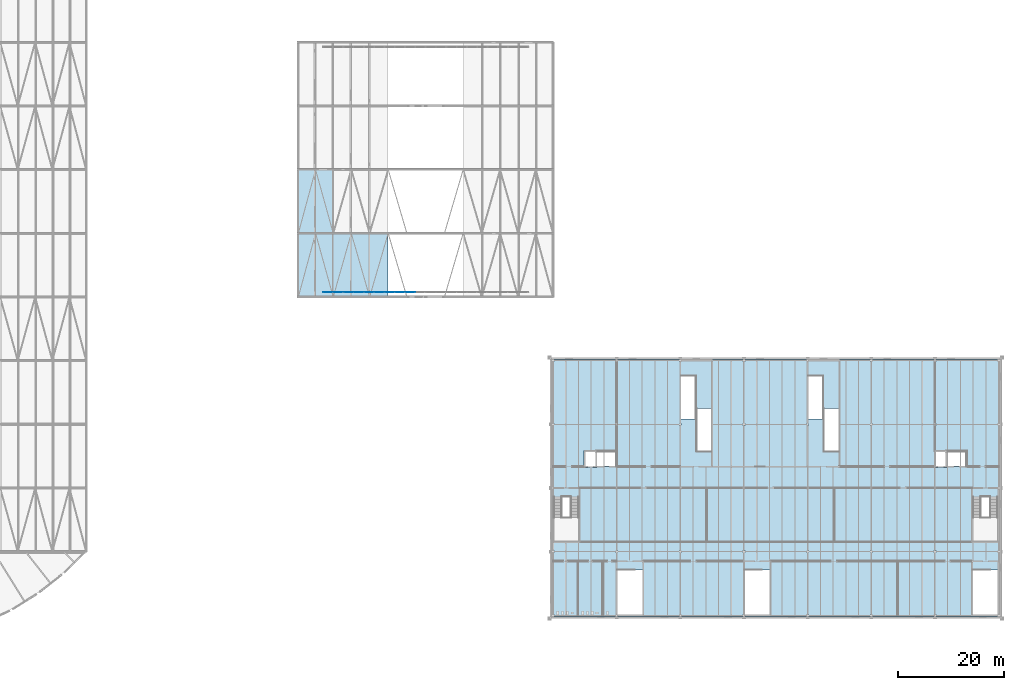
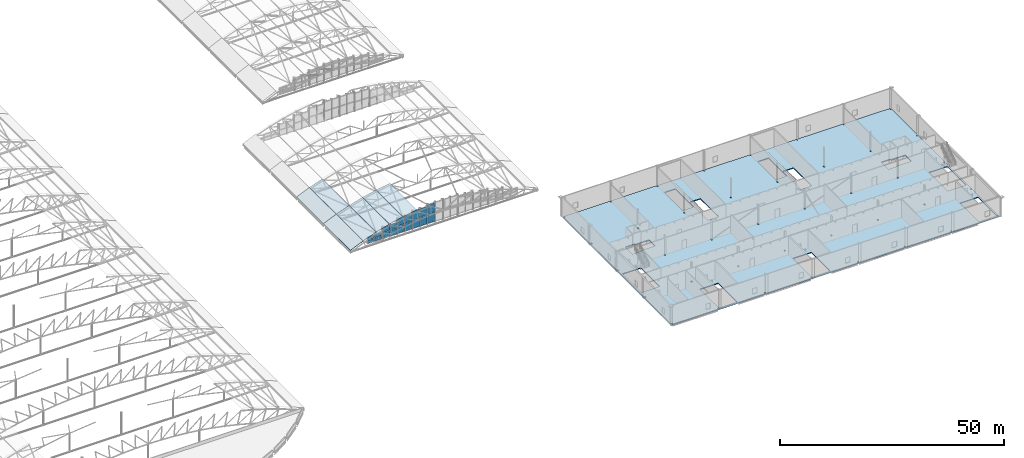
# One storey, part 248 of 321: 18 plates, 8 slabs, 5 elements without a shape of their own.
"""IFC4 building model written with IfcOpenShell, lengths in metres."""

from ifc_helpers import new_model, si_unit, direction, frame, origin, origin_2d, place, context, subcontext, project, spatial, polyline, rectangle, outline, extrude, material, layer, layer_set, type_object, element, aggregate, save


model = new_model("IFC4")

# Units and contexts
model_context = context("Model", 3, precision=1e-05, world=origin(), true_north=direction((0.0, 1.0)))
body_context = subcontext(model_context, "Body", "Model", "MODEL_VIEW")
ifc_project = project(units=[si_unit("LENGTHUNIT", "METRE"), si_unit("AREAUNIT", "SQUARE_METRE"), si_unit("VOLUMEUNIT", "CUBIC_METRE"), si_unit("PLANEANGLEUNIT", "RADIAN"), si_unit("MASSUNIT", "GRAM", prefix="KILO")], contexts=[model_context])

# Site, building, storey
site_placement = place(None, origin())
site = spatial("IfcSite", under=ifc_project, at=site_placement, CompositionType="ELEMENT")
building_placement = place(site_placement, origin())
building = spatial("IfcBuilding", under=site, at=building_placement, Name="Ravi Spectrum Wholesale Market", CompositionType="ELEMENT")
storey_placement = place(building_placement, frame((0.0, 0.0, 10.800048828125)))
storey = spatial("IfcBuildingStorey", under=building, at=storey_placement, Name="L02", CompositionType="ELEMENT", Elevation=10.800048828125)

# Slab
ifc_material_1 = material(Name="Concrete C35/45", Category="concrete")
ifc_layer_1 = layer(ifc_material_1, 0.25)
ifc_layer_set_1 = layer_set([ifc_layer_1], Name="Concrete C35/45")
slab_type_1 = type_object("IfcSlabType", Name="Composite deck slab 250", PredefinedType="FLOOR", material=ifc_layer_set_1)
slab_1_placement = place(storey_placement, frame((0.0, 0.0, -0.25)))
element("IfcSlab", 1, at=slab_1_placement, inside=storey, type_object=slab_type_1, Name="CS-SL-L02-001", PredefinedType="FLOOR", context=body_context, shape_type="SweptSolid", body=[
    extrude(outline(polyline([(197.75, 17.75), (197.75, 66.25), (282.25, 66.25), (282.25, 17.75), (197.75, 17.75)]), holes=[polyline([(197.85009765625, 17.830078125), (198.14990234375, 17.830078125), (198.14990234375, 18.169921875), (197.85009765625, 18.169921875), (197.85009765625, 17.830078125)]), polyline([(210.14990234375, 26.544921875), (210.14990234375, 18.169921875), (209.85009765625, 18.169921875), (209.85009765625, 17.830078125), (210.14990234375, 17.830078125), (210.14990234375, 18.14990234375), (214.85009765625, 18.14990234375), (214.85009765625, 26.544921875), (210.14990234375, 26.544921875)]), polyline([(221.85009765625, 29.800048828125), (222.14990234375, 29.800048828125), (222.14990234375, 30.199951171875), (221.85009765625, 30.199951171875), (221.85009765625, 29.800048828125)]), polyline([(197.85009765625, 30.169921875), (197.85009765625, 29.830078125), (198.14990234375, 29.830078125), (198.14990234375, 30.169921875), (197.85009765625, 30.169921875)]), polyline([(209.85009765625, 30.199951171875), (209.85009765625, 29.800048828125), (210.14990234375, 29.800048828125), (210.14990234375, 30.199951171875), (209.85009765625, 30.199951171875)]), polyline([(198.14990234375, 40.340087890625), (198.14990234375, 31.949951171875), (202.85009765625, 31.949951171875), (202.85009765625, 40.340087890625), (198.14990234375, 40.340087890625)]), polyline([(209.85009765625, 42.199951171875), (209.85009765625, 41.800048828125), (210.14990234375, 41.800048828125), (210.14990234375, 42.199951171875), (209.85009765625, 42.199951171875)]), polyline([(221.85009765625, 42.199951171875), (221.85009765625, 41.800048828125), (222.14990234375, 41.800048828125), (222.14990234375, 42.199951171875), (221.85009765625, 42.199951171875)]), polyline([(197.85009765625, 42.169921875), (197.85009765625, 41.830078125), (198.14990234375, 41.830078125), (198.14990234375, 42.169921875), (197.85009765625, 42.169921875)]), polyline([(209.89990234375, 46.10009765625), (209.89990234375, 48.85009765625), (206.27490234375, 48.85009765625), (206.27490234375, 49.074951171875), (203.875, 49.074951171875), (203.875, 45.875), (206.27490234375, 45.875), (206.27490234375, 46.10009765625), (209.89990234375, 46.10009765625)]), polyline([(209.85009765625, 54.199951171875), (209.85009765625, 53.800048828125), (210.14990234375, 53.800048828125), (210.14990234375, 54.199951171875), (209.85009765625, 54.199951171875)]), polyline([(197.85009765625, 53.830078125), (198.14990234375, 53.830078125), (198.14990234375, 54.169921875), (197.85009765625, 54.169921875), (197.85009765625, 53.830078125)]), polyline([(221.85009765625, 54.199951171875), (221.85009765625, 53.800048828125), (222.14990234375, 53.800048828125), (222.14990234375, 54.199951171875), (221.85009765625, 54.199951171875)]), polyline([(197.85009765625, 66.169921875), (197.85009765625, 65.830078125), (198.14990234375, 65.830078125), (198.14990234375, 66.169921875), (197.85009765625, 66.169921875)]), polyline([(209.85009765625, 65.830078125), (210.14990234375, 65.830078125), (210.14990234375, 66.169921875), (209.85009765625, 66.169921875), (209.85009765625, 65.830078125)]), polyline([(221.85009765625, 66.169921875), (221.85009765625, 65.830078125), (222.14990234375, 65.830078125), (222.14990234375, 66.169921875), (221.85009765625, 66.169921875)]), polyline([(245.85009765625, 18.169921875), (245.85009765625, 17.830078125), (246.14990234375, 17.830078125), (246.14990234375, 18.169921875), (245.85009765625, 18.169921875)]), polyline([(257.85009765625, 17.830078125), (258.14990234375, 17.830078125), (258.14990234375, 18.169921875), (257.85009765625, 18.169921875), (257.85009765625, 17.830078125)]), polyline([(221.85009765625, 18.169921875), (221.85009765625, 17.830078125), (222.14990234375, 17.830078125), (222.14990234375, 18.169921875), (221.85009765625, 18.169921875)]), polyline([(233.85009765625, 18.169921875), (233.85009765625, 17.830078125), (234.14990234375, 17.830078125), (234.14990234375, 18.14990234375), (238.85009765625, 18.14990234375), (238.85009765625, 26.544921875), (234.14990234375, 26.544921875), (234.14990234375, 18.169921875), (233.85009765625, 18.169921875)]), polyline([(233.85009765625, 30.199951171875), (233.85009765625, 29.800048828125), (234.14990234375, 29.800048828125), (234.14990234375, 30.199951171875), (233.85009765625, 30.199951171875)]), polyline([(245.85009765625, 30.199951171875), (245.85009765625, 29.800048828125), (246.14990234375, 29.800048828125), (246.14990234375, 30.199951171875), (245.85009765625, 30.199951171875)]), polyline([(257.85009765625, 30.199951171875), (257.85009765625, 29.800048828125), (258.14990234375, 29.800048828125), (258.14990234375, 30.199951171875), (257.85009765625, 30.199951171875)]), polyline([(233.85009765625, 41.800048828125), (234.14990234375, 41.800048828125), (234.14990234375, 42.199951171875), (233.85009765625, 42.199951171875), (233.85009765625, 41.800048828125)]), polyline([(245.85009765625, 42.199951171875), (245.85009765625, 41.800048828125), (246.14990234375, 41.800048828125), (246.14990234375, 42.199951171875), (245.85009765625, 42.199951171875)]), polyline([(225.10009765625, 48.89990234375), (227.85009765625, 48.89990234375), (227.85009765625, 57.014892578125), (225.10009765625, 57.014892578125), (225.10009765625, 48.89990234375)]), polyline([(251.85009765625, 48.89990234375), (251.85009765625, 57.014892578125), (249.10009765625, 57.014892578125), (249.10009765625, 48.89990234375), (251.85009765625, 48.89990234375)]), polyline([(233.85009765625, 54.199951171875), (233.85009765625, 53.800048828125), (234.14990234375, 53.800048828125), (234.14990234375, 54.199951171875), (233.85009765625, 54.199951171875)]), polyline([(245.85009765625, 54.199951171875), (245.85009765625, 53.800048828125), (246.14990234375, 53.800048828125), (246.14990234375, 54.199951171875), (245.85009765625, 54.199951171875)]), polyline([(248.89990234375, 54.985107421875), (248.89990234375, 63.10009765625), (246.14990234375, 63.10009765625), (246.14990234375, 54.985107421875), (248.89990234375, 54.985107421875)]), polyline([(222.14990234375, 54.985107421875), (224.89990234375, 54.985107421875), (224.89990234375, 63.10009765625), (222.14990234375, 63.10009765625), (222.14990234375, 54.985107421875)]), polyline([(233.85009765625, 66.169921875), (233.85009765625, 65.830078125), (234.14990234375, 65.830078125), (234.14990234375, 66.169921875), (233.85009765625, 66.169921875)]), polyline([(245.85009765625, 66.169921875), (245.85009765625, 65.830078125), (246.14990234375, 65.830078125), (246.14990234375, 66.169921875), (245.85009765625, 66.169921875)]), polyline([(281.85009765625, 18.14990234375), (281.85009765625, 17.830078125), (282.14990234375, 17.830078125), (282.14990234375, 18.169921875), (281.85009765625, 18.169921875), (281.85009765625, 26.544921875), (277.14990234375, 26.544921875), (277.14990234375, 18.14990234375), (281.85009765625, 18.14990234375)]), polyline([(269.85009765625, 18.169921875), (269.85009765625, 17.830078125), (270.14990234375, 17.830078125), (270.14990234375, 18.169921875), (269.85009765625, 18.169921875)]), polyline([(281.85009765625, 29.830078125), (282.14990234375, 29.830078125), (282.14990234375, 30.169921875), (281.85009765625, 30.169921875), (281.85009765625, 29.830078125)]), polyline([(269.85009765625, 30.199951171875), (269.85009765625, 29.800048828125), (270.14990234375, 29.800048828125), (270.14990234375, 30.199951171875), (269.85009765625, 30.199951171875)]), polyline([(281.85009765625, 40.340087890625), (277.14990234375, 40.340087890625), (277.14990234375, 31.949951171875), (281.85009765625, 31.949951171875), (281.85009765625, 40.340087890625)]), polyline([(281.85009765625, 42.169921875), (281.85009765625, 41.830078125), (282.14990234375, 41.830078125), (282.14990234375, 42.169921875), (281.85009765625, 42.169921875)]), polyline([(269.85009765625, 42.199951171875), (269.85009765625, 41.800048828125), (270.14990234375, 41.800048828125), (270.14990234375, 42.199951171875), (269.85009765625, 42.199951171875)]), polyline([(257.85009765625, 42.199951171875), (257.85009765625, 41.800048828125), (258.14990234375, 41.800048828125), (258.14990234375, 42.199951171875), (257.85009765625, 42.199951171875)]), polyline([(269.875, 49.074951171875), (269.875, 45.875), (272.27490234375, 45.875), (272.27490234375, 46.10009765625), (275.89990234375, 46.10009765625), (275.89990234375, 48.85009765625), (272.27490234375, 48.85009765625), (272.27490234375, 49.074951171875), (269.875, 49.074951171875)]), polyline([(269.85009765625, 54.199951171875), (269.85009765625, 53.800048828125), (270.14990234375, 53.800048828125), (270.14990234375, 54.199951171875), (269.85009765625, 54.199951171875)]), polyline([(281.85009765625, 54.169921875), (281.85009765625, 53.830078125), (282.14990234375, 53.830078125), (282.14990234375, 54.169921875), (281.85009765625, 54.169921875)]), polyline([(257.85009765625, 54.199951171875), (257.85009765625, 53.800048828125), (258.14990234375, 53.800048828125), (258.14990234375, 54.199951171875), (257.85009765625, 54.199951171875)]), polyline([(281.85009765625, 66.169921875), (281.85009765625, 65.830078125), (282.14990234375, 65.830078125), (282.14990234375, 66.169921875), (281.85009765625, 66.169921875)]), polyline([(269.85009765625, 66.169921875), (269.85009765625, 65.830078125), (270.14990234375, 65.830078125), (270.14990234375, 66.169921875), (269.85009765625, 66.169921875)]), polyline([(257.85009765625, 66.169921875), (257.85009765625, 65.830078125), (258.14990234375, 65.830078125), (258.14990234375, 66.169921875), (257.85009765625, 66.169921875)])]), origin(), (0.0, 0.0, 1.0), 0.25),
])

# Curtain wall, plates
ifc_material_2 = material(Name="Aluminium 6063-T6", Category="aluminium")
ifc_layer_2 = layer(ifc_material_2, 0.14990234375)
ifc_layer_set_2 = layer_set([ifc_layer_2], Name="Aluminium 6063-T6")
curtain_wall_type = type_object("IfcCurtainWallType", Name="Curtain wall 150", PredefinedType="NOTDEFINED", material=ifc_layer_set_2)
curtain_wall_1_placement = place(storey_placement, origin())
curtain_wall_1 = element("IfcCurtainWall", 2, at=curtain_wall_1_placement, inside=storey, type_object=curtain_wall_type, Name="H2-CW-L02-001", PredefinedType="NOTDEFINED")
ifc_material_3 = material(Name="Toughened glass", Category="glass")
ifc_layer_3 = layer(ifc_material_3, 0.028076171875)
ifc_layer_set_3 = layer_set([ifc_layer_3], Name="Toughened glass")
plate_type_1 = type_object("IfcPlateType", Name="Glazing panel 28", PredefinedType="CURTAIN_PANEL", material=ifc_layer_set_3)
plate_1_placement = place(storey_placement, frame((155.575927734375, 78.89990234375, 0.97998046875), z_axis=(0.0, 0.0, 1.0), x_axis=(1.0, 0.0, 0.0)))
plate_1 = element("IfcPlate", 3, at=plate_1_placement, type_object=plate_type_1, Name="H2-CW-L02-001 panel 1.2", PredefinedType="CURTAIN_PANEL", context=body_context, shape_type="SweptSolid", body=[
    extrude(rectangle(XDim=1.81298828125, YDim=0.028076171875, at=origin_2d()), origin(), (0.0, 0.0, 1.0), 0.860107421875),
])
plate_2_placement = place(storey_placement, frame((157.448974609375, 78.89990234375, 0.97998046875), z_axis=(0.0, 0.0, 1.0), x_axis=(1.0, 0.0, 0.0)))
plate_2 = element("IfcPlate", 4, at=plate_2_placement, type_object=plate_type_1, Name="H2-CW-L02-001 panel 2.2", PredefinedType="CURTAIN_PANEL", context=body_context, shape_type="SweptSolid", body=[
    extrude(rectangle(XDim=1.81298828125, YDim=0.028076171875, at=origin_2d()), origin(), (0.0, 0.0, 1.0), 0.860107421875),
])

curtain_wall_2_placement = place(storey_placement, origin())
curtain_wall_2 = element("IfcCurtainWall", 5, at=curtain_wall_2_placement, inside=storey, type_object=curtain_wall_type, Name="H2-CW-L02-002", PredefinedType="NOTDEFINED")
plate_3_placement = place(storey_placement, frame((159.4619140625, 78.89990234375, 0.06005859375), z_axis=(0.0, 0.0, 1.0), x_axis=(1.0, 0.0, 0.0)))
plate_3 = element("IfcPlate", 6, at=plate_3_placement, type_object=plate_type_1, Name="H2-CW-L02-002 panel 1.1", PredefinedType="CURTAIN_PANEL", context=body_context, shape_type="SweptSolid", body=[
    extrude(rectangle(XDim=1.81298828125, YDim=0.028076171875, at=origin_2d()), origin(), (0.0, 0.0, 1.0), 1.510009765625),
])
plate_4_placement = place(storey_placement, frame((161.3349609375, 78.89990234375, 0.06005859375), z_axis=(0.0, 0.0, 1.0), x_axis=(1.0, 0.0, 0.0)))
plate_4 = element("IfcPlate", 7, at=plate_4_placement, type_object=plate_type_1, Name="H2-CW-L02-002 panel 2.1", PredefinedType="CURTAIN_PANEL", context=body_context, shape_type="SweptSolid", body=[
    extrude(rectangle(XDim=1.81298828125, YDim=0.028076171875, at=origin_2d()), origin(), (0.0, 0.0, 1.0), 1.510009765625),
])

curtain_wall_3_placement = place(storey_placement, origin())
curtain_wall_3 = element("IfcCurtainWall", 8, at=curtain_wall_3_placement, inside=storey, type_object=curtain_wall_type, Name="H2-CW-L02-003", PredefinedType="NOTDEFINED")
plate_5_placement = place(storey_placement, frame((163.34814453125, 78.89990234375, 0.06005859375), z_axis=(0.0, 0.0, 1.0), x_axis=(1.0, 0.0, 0.0)))
plate_5 = element("IfcPlate", 9, at=plate_5_placement, type_object=plate_type_1, Name="H2-CW-L02-003 panel 1.1", PredefinedType="CURTAIN_PANEL", context=body_context, shape_type="SweptSolid", body=[
    extrude(rectangle(XDim=1.81298828125, YDim=0.028076171875, at=origin_2d()), origin(), (0.0, 0.0, 1.0), 2.010009765625),
])
plate_6_placement = place(storey_placement, frame((165.22119140625, 78.89990234375, 0.06005859375), z_axis=(0.0, 0.0, 1.0), x_axis=(1.0, 0.0, 0.0)))
plate_6 = element("IfcPlate", 10, at=plate_6_placement, type_object=plate_type_1, Name="H2-CW-L02-003 panel 2.1", PredefinedType="CURTAIN_PANEL", context=body_context, shape_type="SweptSolid", body=[
    extrude(rectangle(XDim=1.81298828125, YDim=0.028076171875, at=origin_2d()), origin(), (0.0, 0.0, 1.0), 2.010009765625),
])

curtain_wall_4_placement = place(storey_placement, origin())
curtain_wall_4 = element("IfcCurtainWall", 11, at=curtain_wall_4_placement, inside=storey, type_object=curtain_wall_type, Name="H2-CW-L02-004", PredefinedType="NOTDEFINED")
plate_7_placement = place(storey_placement, frame((167.234375, 78.89990234375, 0.06005859375), z_axis=(0.0, 0.0, 1.0), x_axis=(1.0, 0.0, 0.0)))
plate_7 = element("IfcPlate", 12, at=plate_7_placement, type_object=plate_type_1, Name="H2-CW-L02-004 panel 1.1", PredefinedType="CURTAIN_PANEL", context=body_context, shape_type="SweptSolid", body=[
    extrude(rectangle(XDim=1.81298828125, YDim=0.028076171875, at=origin_2d()), origin(), (0.0, 0.0, 1.0), 2.360107421875),
])
plate_8_placement = place(storey_placement, frame((169.107421875, 78.89990234375, 0.06005859375), z_axis=(0.0, 0.0, 1.0), x_axis=(1.0, 0.0, 0.0)))
plate_8 = element("IfcPlate", 13, at=plate_8_placement, type_object=plate_type_1, Name="H2-CW-L02-004 panel 2.1", PredefinedType="CURTAIN_PANEL", context=body_context, shape_type="SweptSolid", body=[
    extrude(rectangle(XDim=1.81298828125, YDim=0.028076171875, at=origin_2d()), origin(), (0.0, 0.0, 1.0), 2.360107421875),
])

# Curtain wall, plate
curtain_wall_5_placement = place(storey_placement, origin())
curtain_wall_5 = element("IfcCurtainWall", 14, at=curtain_wall_5_placement, inside=storey, type_object=curtain_wall_type, Name="H2-CW-L02-005", PredefinedType="NOTDEFINED")
plate_9_placement = place(storey_placement, frame((171.120361328125, 78.89990234375, 0.059814453125), z_axis=(0.0, 0.0, 1.0), x_axis=(1.0, 0.0, 0.0)))
plate_9 = element("IfcPlate", 15, at=plate_9_placement, type_object=plate_type_1, Name="H2-CW-L02-005 panel 1.1", PredefinedType="CURTAIN_PANEL", context=body_context, shape_type="SweptSolid", body=[
    extrude(rectangle(XDim=1.81298828125, YDim=0.028076171875, at=origin_2d()), origin(), (0.0, 0.0, 1.0), 2.56005859375),
])

# Plate
ifc_material_4 = material(Name="Insulated panel")
ifc_layer_4 = layer(ifc_material_4, 0.028076171875)
ifc_layer_set_4 = layer_set([ifc_layer_4], Name="Insulated panel")
plate_type_2 = type_object("IfcPlateType", Name="Opaque insulated panel 28", PredefinedType="CURTAIN_PANEL", material=ifc_layer_set_4)
plate_10_placement = place(storey_placement, frame((155.575927734375, 78.89990234375, 0.06005859375), z_axis=(0.0, 0.0, 1.0), x_axis=(1.0, 0.0, 0.0)))
plate_10 = element("IfcPlate", 16, at=plate_10_placement, type_object=plate_type_2, Name="H2-CW-L02-001 panel 1.1", PredefinedType="CURTAIN_PANEL", context=body_context, shape_type="SweptSolid", body=[
    extrude(rectangle(XDim=1.81298828125, YDim=0.028076171875, at=origin_2d()), origin(), (0.0, 0.0, 1.0), 0.860107421875),
])

plate_11_placement = place(storey_placement, frame((157.448974609375, 78.89990234375, 0.06005859375), z_axis=(0.0, 0.0, 1.0), x_axis=(1.0, 0.0, 0.0)))
plate_11 = element("IfcPlate", 17, at=plate_11_placement, type_object=plate_type_2, Name="H2-CW-L02-001 panel 2.1", PredefinedType="CURTAIN_PANEL", context=body_context, shape_type="SweptSolid", body=[
    extrude(rectangle(XDim=1.81298828125, YDim=0.028076171875, at=origin_2d()), origin(), (0.0, 0.0, 1.0), 0.860107421875),
])

aggregate(curtain_wall_1, [plate_10, plate_1, plate_11, plate_2])

plate_12_placement = place(storey_placement, frame((159.4619140625, 78.89990234375, 1.6298828125), z_axis=(0.0, 0.0, 1.0), x_axis=(1.0, 0.0, 0.0)))
plate_12 = element("IfcPlate", 18, at=plate_12_placement, type_object=plate_type_2, Name="H2-CW-L02-002 panel 1.2", PredefinedType="CURTAIN_PANEL", context=body_context, shape_type="SweptSolid", body=[
    extrude(rectangle(XDim=1.81298828125, YDim=0.028076171875, at=origin_2d()), origin(), (0.0, 0.0, 1.0), 1.510009765625),
])

plate_13_placement = place(storey_placement, frame((161.3349609375, 78.89990234375, 1.6298828125), z_axis=(0.0, 0.0, 1.0), x_axis=(1.0, 0.0, 0.0)))
plate_13 = element("IfcPlate", 19, at=plate_13_placement, type_object=plate_type_2, Name="H2-CW-L02-002 panel 2.2", PredefinedType="CURTAIN_PANEL", context=body_context, shape_type="SweptSolid", body=[
    extrude(rectangle(XDim=1.81298828125, YDim=0.028076171875, at=origin_2d()), origin(), (0.0, 0.0, 1.0), 1.510009765625),
])

aggregate(curtain_wall_2, [plate_3, plate_12, plate_4, plate_13])

plate_14_placement = place(storey_placement, frame((163.34814453125, 78.89990234375, 2.1298828125), z_axis=(0.0, 0.0, 1.0), x_axis=(1.0, 0.0, 0.0)))
plate_14 = element("IfcPlate", 20, at=plate_14_placement, type_object=plate_type_2, Name="H2-CW-L02-003 panel 1.2", PredefinedType="CURTAIN_PANEL", context=body_context, shape_type="SweptSolid", body=[
    extrude(rectangle(XDim=1.81298828125, YDim=0.028076171875, at=origin_2d()), origin(), (0.0, 0.0, 1.0), 2.010009765625),
])

plate_15_placement = place(storey_placement, frame((165.22119140625, 78.89990234375, 2.1298828125), z_axis=(0.0, 0.0, 1.0), x_axis=(1.0, 0.0, 0.0)))
plate_15 = element("IfcPlate", 21, at=plate_15_placement, type_object=plate_type_2, Name="H2-CW-L02-003 panel 2.2", PredefinedType="CURTAIN_PANEL", context=body_context, shape_type="SweptSolid", body=[
    extrude(rectangle(XDim=1.81298828125, YDim=0.028076171875, at=origin_2d()), origin(), (0.0, 0.0, 1.0), 2.010009765625),
])

aggregate(curtain_wall_3, [plate_5, plate_14, plate_6, plate_15])

plate_16_placement = place(storey_placement, frame((167.234375, 78.89990234375, 2.47998046875), z_axis=(0.0, 0.0, 1.0), x_axis=(1.0, 0.0, 0.0)))
plate_16 = element("IfcPlate", 22, at=plate_16_placement, type_object=plate_type_2, Name="H2-CW-L02-004 panel 1.2", PredefinedType="CURTAIN_PANEL", context=body_context, shape_type="SweptSolid", body=[
    extrude(rectangle(XDim=1.81298828125, YDim=0.028076171875, at=origin_2d()), origin(), (0.0, 0.0, 1.0), 2.360107421875),
])

plate_17_placement = place(storey_placement, frame((169.107421875, 78.89990234375, 2.47998046875), z_axis=(0.0, 0.0, 1.0), x_axis=(1.0, 0.0, 0.0)))
plate_17 = element("IfcPlate", 23, at=plate_17_placement, type_object=plate_type_2, Name="H2-CW-L02-004 panel 2.2", PredefinedType="CURTAIN_PANEL", context=body_context, shape_type="SweptSolid", body=[
    extrude(rectangle(XDim=1.81298828125, YDim=0.028076171875, at=origin_2d()), origin(), (0.0, 0.0, 1.0), 2.360107421875),
])

aggregate(curtain_wall_4, [plate_7, plate_16, plate_8, plate_17])

plate_18_placement = place(storey_placement, frame((171.120361328125, 78.89990234375, 2.679931640625), z_axis=(0.0, 0.0, 1.0), x_axis=(1.0, 0.0, 0.0)))
plate_18 = element("IfcPlate", 24, at=plate_18_placement, type_object=plate_type_2, Name="H2-CW-L02-005 panel 1.2", PredefinedType="CURTAIN_PANEL", context=body_context, shape_type="SweptSolid", body=[
    extrude(rectangle(XDim=1.81298828125, YDim=0.028076171875, at=origin_2d()), origin(), (0.0, 0.0, 1.0), 2.56005859375),
])

aggregate(curtain_wall_5, [plate_9, plate_18])

# Slabs
ifc_material_5 = material(Name="Steel S355", Category="steel")
ifc_layer_5 = layer(ifc_material_5, 0.1201171875)
ifc_layer_set_5 = layer_set([ifc_layer_5], Name="Steel S355")
slab_type_2 = type_object("IfcSlabType", Name="Roof panel 120", PredefinedType="ROOF", material=ifc_layer_set_5)
slab_2_placement = place(storey_placement, frame((149.76708984375, 78.0, 0.500244140625), z_axis=(-0.399541211393, 0.0, 0.916715234082), x_axis=(0.916715234082, 0.0, 0.399541211393)))
element("IfcSlab", 25, at=slab_2_placement, inside=storey, type_object=slab_type_2, Name="H2-SL-L02-001", PredefinedType="ROOF", context=body_context, shape_type="SweptSolid", body=[
    extrude(outline(polyline([(0.0, 0.0), (3.5697682506341324, 0.0), (3.5697682506341324, 12.0), (0.0, 12.0), (0.0, 0.0)])), origin(), (0.0, 0.0, -1.0), 0.1201171875),
])
slab_3_placement = place(storey_placement, frame((153.046630859375, 78.0, 1.929443359375), z_axis=(-0.340781945356, 0.0, 0.940142364602), x_axis=(0.940142364602, 0.0, 0.340781945356)))
element("IfcSlab", 26, at=slab_3_placement, inside=storey, type_object=slab_type_2, Name="H2-SL-L02-002", PredefinedType="ROOF", context=body_context, shape_type="SweptSolid", body=[
    extrude(outline(polyline([(0.0, 0.0), (3.5698861132549333, 0.0), (3.5698861132549333, 12.0), (0.0, 12.0), (0.0, 0.0)])), origin(), (0.0, 0.0, -1.0), 0.1201171875),
])
slab_4_placement = place(storey_placement, frame((156.409912109375, 78.0, 3.1484375), z_axis=(-0.280740497121, 0.0, 0.959783711716), x_axis=(0.959783711716, 0.0, 0.280740497121)))
element("IfcSlab", 27, at=slab_4_placement, inside=storey, type_object=slab_type_2, Name="H2-SL-L02-003", PredefinedType="ROOF", context=body_context, shape_type="SweptSolid", body=[
    extrude(outline(polyline([(0.0, 0.0), (3.569835046609062, 0.0), (3.569835046609062, 12.0), (0.0, 12.0), (0.0, 0.0)])), origin(), (0.0, 0.0, -1.0), 0.1201171875),
])
slab_5_placement = place(storey_placement, frame((159.84375, 78.0, 4.15234375), z_axis=(-0.219536606046, 0.0, 0.975604263319), x_axis=(0.975604263319, 0.0, 0.219536606046)))
element("IfcSlab", 28, at=slab_5_placement, inside=storey, type_object=slab_type_2, Name="H2-SL-L02-004", PredefinedType="ROOF", context=body_context, shape_type="SweptSolid", body=[
    extrude(outline(polyline([(0.0, 0.0), (3.5697527640747637, 0.0), (3.5697527640747637, 12.0), (0.0, 12.0), (0.0, 0.0)])), origin(), (0.0, 0.0, -1.0), 0.1201171875),
])
slab_6_placement = place(storey_placement, frame((163.333984375, 78.0, 4.9375), z_axis=(-0.157440984261, 0.0, 0.987528397807), x_axis=(0.987528397807, 0.0, 0.157440984261)))
element("IfcSlab", 29, at=slab_6_placement, inside=storey, type_object=slab_type_2, Name="H2-SL-L02-005", PredefinedType="ROOF", context=body_context, shape_type="SweptSolid", body=[
    extrude(outline(polyline([(0.0, 0.0), (3.569665937915445, 0.0), (3.569665937915445, 12.0), (0.0, 12.0), (0.0, 0.0)])), origin(), (0.0, 0.0, -1.0), 0.1201171875),
])
slab_7_placement = place(storey_placement, frame((149.76708984375, 90.0, 0.500244140625), z_axis=(-0.399541211393, 0.0, 0.916715234082), x_axis=(0.916715234082, 0.0, 0.399541211393)))
element("IfcSlab", 30, at=slab_7_placement, inside=storey, type_object=slab_type_2, Name="H2-SL-L02-011", PredefinedType="ROOF", context=body_context, shape_type="SweptSolid", body=[
    extrude(outline(polyline([(0.0, 0.0), (3.5697682506341324, 0.0), (3.5697682506341324, 12.0), (0.0, 12.0), (0.0, 0.0)])), origin(), (0.0, 0.0, -1.0), 0.1201171875),
])
slab_8_placement = place(storey_placement, frame((153.046630859375, 90.0, 1.929443359375), z_axis=(-0.340781945356, 0.0, 0.940142364602), x_axis=(0.940142364602, 0.0, 0.340781945356)))
element("IfcSlab", 31, at=slab_8_placement, inside=storey, type_object=slab_type_2, Name="H2-SL-L02-012", PredefinedType="ROOF", context=body_context, shape_type="SweptSolid", body=[
    extrude(outline(polyline([(0.0, 0.0), (3.5698861132549333, 0.0), (3.5698861132549333, 12.0), (0.0, 12.0), (0.0, 0.0)])), origin(), (0.0, 0.0, -1.0), 0.1201171875),
])

save(model, "model.ifc")
